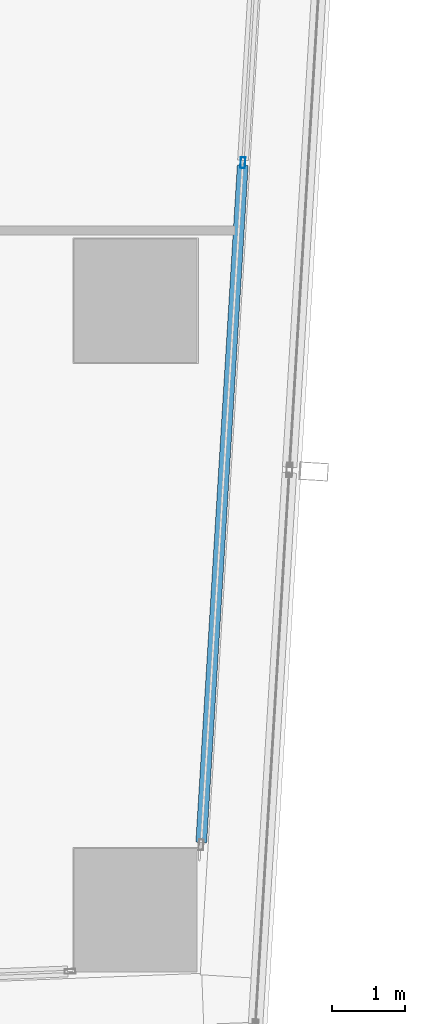
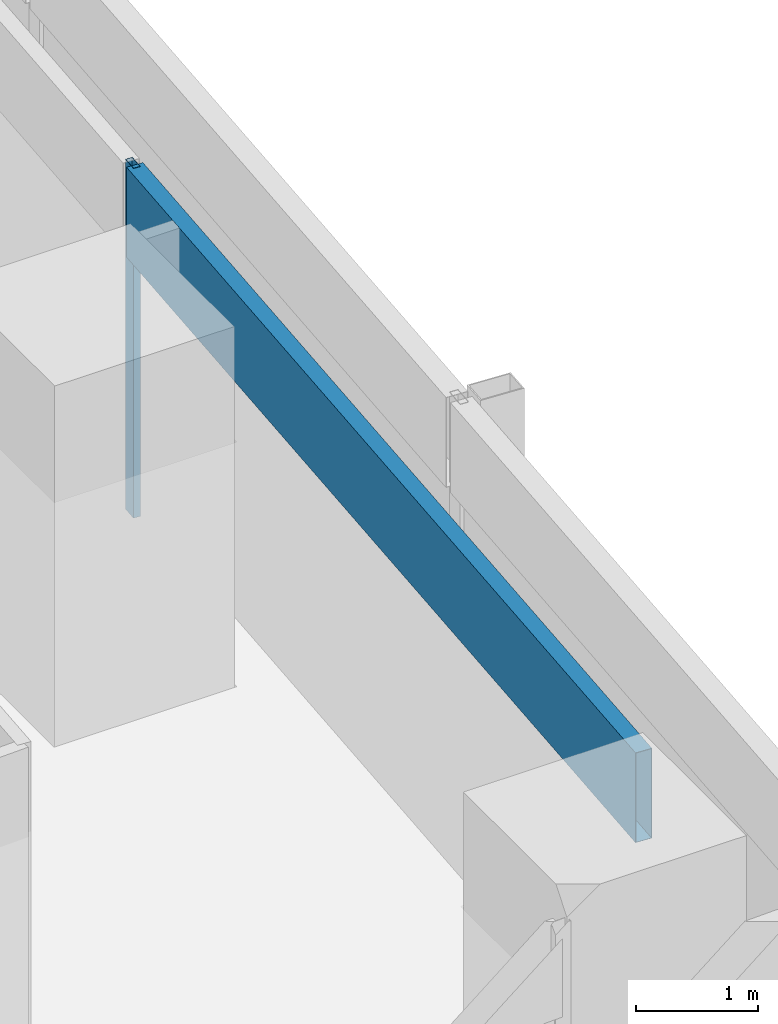
# One storey, part 13 of 40: 2 members, 1 element without a shape of its own.
"""IFC4 building model written with IfcOpenShell, lengths in metres."""

from ifc_helpers import new_model, si_unit, direction, frame, origin, origin_2d, place, context, subcontext, project, spatial, hollow_rectangle, extrude, material, material_profile, profile_set, type_object, element, aggregate, save


model = new_model("IFC4")

# Units and contexts
model_context = context("Model", 3, precision=1e-05, world=origin(), true_north=direction((0.0, 1.0)))
body_context = subcontext(model_context, "Body", "Model", "MODEL_VIEW")
ifc_project = project(units=[si_unit("LENGTHUNIT", "METRE"), si_unit("AREAUNIT", "SQUARE_METRE"), si_unit("VOLUMEUNIT", "CUBIC_METRE"), si_unit("PLANEANGLEUNIT", "RADIAN"), si_unit("MASSUNIT", "GRAM", prefix="KILO")], contexts=[model_context])

# Site, building, storey
site_placement = place(None, origin())
site = spatial("IfcSite", under=ifc_project, at=site_placement, CompositionType="ELEMENT")
building_placement = place(site_placement, origin())
building = spatial("IfcBuilding", under=site, at=building_placement, Name="Rekha Terrace Tower", CompositionType="ELEMENT")
storey_placement = place(building_placement, frame((0.0, 0.0, 102.800048828125)))
storey = spatial("IfcBuildingStorey", under=building, at=storey_placement, Name="L25", CompositionType="ELEMENT", Elevation=102.800048828125)

# Curtain wall, members
ifc_material_1 = material(Name="Aluminium framing", Category="aluminium")
curtain_wall_type = type_object("IfcCurtainWallType", Name="CW1 double skin inner glazing", PredefinedType="USERDEFINED", material=ifc_material_1)
curtain_wall_placement = place(storey_placement, origin())
curtain_wall = element("IfcCurtainWall", 1, at=curtain_wall_placement, inside=storey, type_object=curtain_wall_type, Name="CW1 double skin inner glazing", ObjectType="DOUBLE SKIN INNER GLAZING", PredefinedType="USERDEFINED")
ifc_material_2 = material(Name="Aluminium mullion section", Category="aluminium")
ifc_material_profile_1 = material_profile(ifc_material_2, hollow_rectangle(XDim=0.06494140625, YDim=0.14990234375, WallThickness=0.00390625, at=origin_2d()), Name="AL RHS 65x150")
ifc_profile_set_1 = profile_set([ifc_material_profile_1], Name="Aluminium mullion section")
member_type_1 = type_object("IfcMemberType", Name="CW1 mullion RHS 65 x 150", PredefinedType="MULLION", material=ifc_profile_set_1)
member_1_placement = place(storey_placement, frame((68.679443359375, 27.101806640625, 0.0), z_axis=(0.0, 0.0, 1.0), x_axis=(-0.998127987024, 0.061159803131, 0.0)))
member_1 = element("IfcMember", 2, at=member_1_placement, type_object=member_type_1, Name="CW1 mullion 2", PredefinedType="MULLION", context=body_context, shape_type="SweptSolid", body=[
    extrude(hollow_rectangle(XDim=0.06494140625, YDim=0.14990234375, WallThickness=0.00390625, at=origin_2d()), origin(), (0.0, 0.0, 1.0), 3.5),
])
ifc_material_3 = material(Name="Insulated aluminium spandrel box", Category="aluminium")
ifc_material_profile_2 = material_profile(ifc_material_3, hollow_rectangle(XDim=0.14990234375, YDim=0.89990234375, WallThickness=0.0029296875, at=origin_2d()), Name="AL SPANDREL BOX 150x900")
ifc_profile_set_2 = profile_set([ifc_material_profile_2], Name="Insulated aluminium spandrel box")
member_type_2 = type_object("IfcMemberType", Name="CW1 spandrel transom 150 x 900", PredefinedType="USERDEFINED", material=ifc_profile_set_2)
member_2_placement = place(storey_placement, frame((68.10546875, 17.731689453125, 3.050048828125), z_axis=(0.061145082926, 0.998128888889, 0.0), x_axis=(-0.998128888889, 0.061145082926, 0.0)))
member_2 = element("IfcMember", 3, at=member_2_placement, type_object=member_type_2, Name="CW1 spandrel transom 1", ObjectType="TRANSOM", PredefinedType="USERDEFINED", context=body_context, shape_type="SweptSolid", body=[
    extrude(hollow_rectangle(XDim=0.14990234375, YDim=0.89990234375, WallThickness=0.0029296875, at=origin_2d()), origin(), (0.0, 0.0, 1.0), 9.355224609375),
])
aggregate(curtain_wall, [member_1, member_2])

save(model, "model.ifc")
